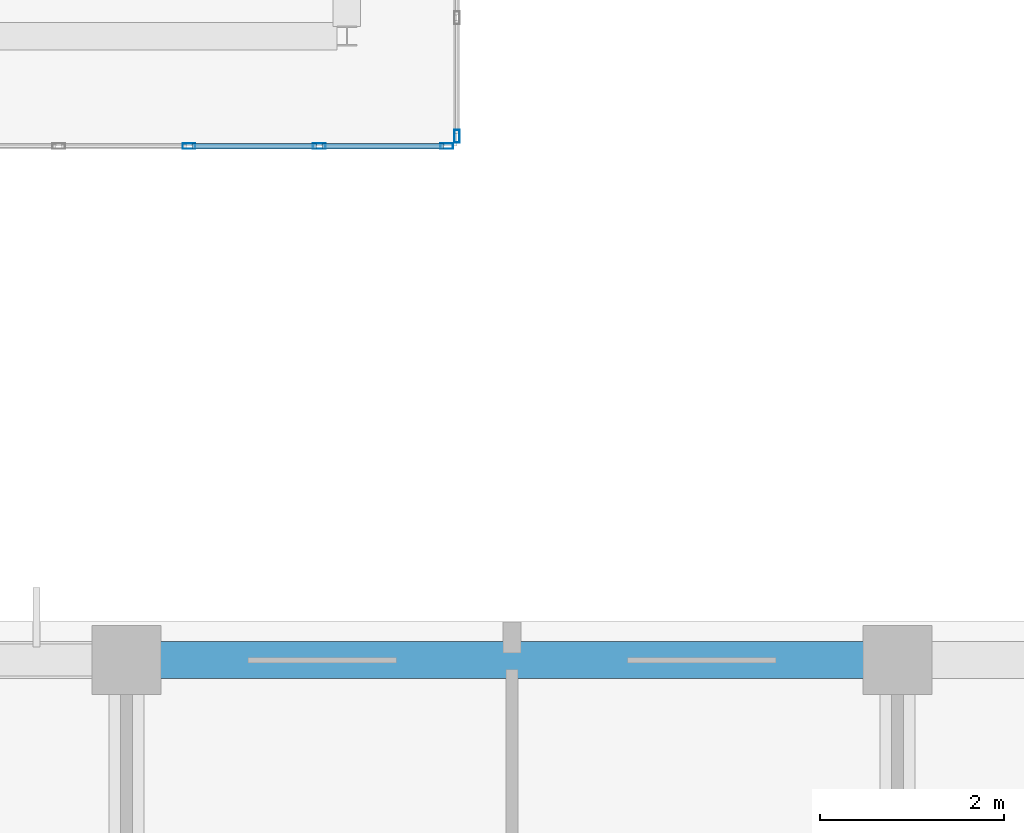
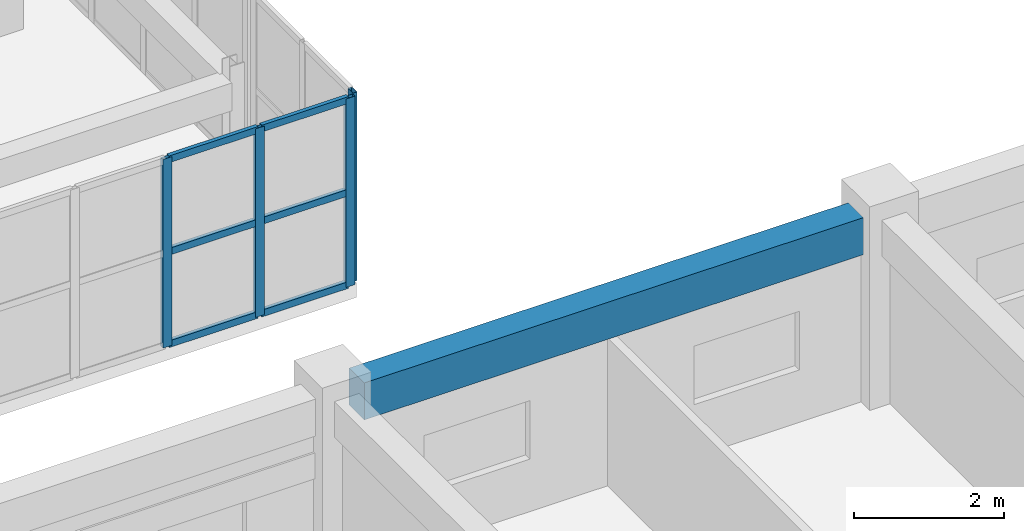
# One storey, part 58 of 200: 10 members, 1 beam, 2 elements without a shape of their own.
"""IFC4 building model written with IfcOpenShell, lengths in metres."""

from ifc_helpers import new_model, si_unit, direction, frame, origin, origin_2d, place, context, subcontext, project, spatial, rectangle, hollow_rectangle, extrude, material, layer, layer_set, material_profile, profile_set, type_object, element, aggregate, save


model = new_model("IFC4")

# Units and contexts
model_context = context("Model", 3, precision=1e-05, world=origin(), true_north=direction((0.0, 1.0)))
body_context = subcontext(model_context, "Body", "Model", "MODEL_VIEW")
ifc_project = project(units=[si_unit("LENGTHUNIT", "METRE"), si_unit("AREAUNIT", "SQUARE_METRE"), si_unit("VOLUMEUNIT", "CUBIC_METRE"), si_unit("PLANEANGLEUNIT", "RADIAN"), si_unit("MASSUNIT", "GRAM", prefix="KILO")], contexts=[model_context])

# Site, building, storey
site_placement = place(None, origin())
site = spatial("IfcSite", under=ifc_project, at=site_placement, CompositionType="ELEMENT")
building_placement = place(site_placement, origin())
building = spatial("IfcBuilding", under=site, at=building_placement, Name="Trelvath General Hospital", CompositionType="ELEMENT")
storey_placement = place(building_placement, frame((0.0, 0.0, 4.800048828125)))
storey = spatial("IfcBuildingStorey", under=building, at=storey_placement, Name="L01", CompositionType="ELEMENT", Elevation=4.800048828125)

# Beam
ifc_material_1 = material(Name="Concrete C35/45", Category="concrete")
ifc_material_profile_1 = material_profile(ifc_material_1, rectangle(XDim=0.39990234375, YDim=0.60009765625, at=origin_2d()), Name="RCB400x600")
ifc_profile_set_1 = profile_set([ifc_material_profile_1], Name="Concrete C35/45")
beam_type = type_object("IfcBeamType", Name="Beam RC400x600", PredefinedType="BEAM", material=ifc_profile_set_1)
beam_placement = place(storey_placement, frame((117.969970703125, 25.199951171875, 2.719970703125), z_axis=(1.0, 0.0, 0.0), x_axis=(0.0, 1.0, 0.0)))
element("IfcBeam", 1, at=beam_placement, inside=storey, type_object=beam_type, Name="Grid Beam BX-114D", PredefinedType="BEAM", context=body_context, shape_type="SweptSolid", body=[
    extrude(rectangle(XDim=0.39990234375, YDim=0.60009765625, at=origin_2d()), origin(), (0.0, 0.0, 1.0), 7.659912109375),
])

# Curtain wall, members
ifc_material_2 = material(Name="Anodised aluminium and low-E glass", Category="aluminium")
ifc_layer_1 = layer(ifc_material_2, 0.14990234375)
ifc_layer_set_1 = layer_set([ifc_layer_1], Name="Anodised aluminium and low-E glass")
curtain_wall_type_1 = type_object("IfcCurtainWallType", Name="CW CrystalCube 710 306 15", PredefinedType="USERDEFINED", material=ifc_layer_set_1)
curtain_wall_1_placement = place(storey_placement, origin())
curtain_wall_1 = element("IfcCurtainWall", 2, at=curtain_wall_1_placement, inside=storey, type_object=curtain_wall_type_1, Name="Crystal Cube Curtain Wall CUBE-E-T0 S5 L01", ObjectType="Unitised Glazed Curtain Wall", PredefinedType="USERDEFINED")
ifc_material_3 = material(Name="Anodised aluminium", Category="aluminium")
ifc_material_profile_2 = material_profile(ifc_material_3, hollow_rectangle(XDim=0.06005859375, YDim=0.139892578125, WallThickness=0.00390625, at=origin_2d()), Name="RHS60x140x4")
ifc_profile_set_2 = profile_set([ifc_material_profile_2], Name="Anodised aluminium")
member_type_1 = type_object("IfcMemberType", Name="CurtainMullion 60x140", PredefinedType="MULLION", material=ifc_profile_set_2)
member_1_placement = place(storey_placement, frame((121.090087890625, 30.800048828125, 0.0), z_axis=(0.0, 0.0, 1.0), x_axis=(0.0, -1.0, 0.0)))
member_1 = element("IfcMember", 3, at=member_1_placement, type_object=member_type_1, Name="CW-154 mullion 1", PredefinedType="MULLION", context=body_context, shape_type="SweptSolid", body=[
    extrude(hollow_rectangle(XDim=0.06005859375, YDim=0.139892578125, WallThickness=0.00390625, at=origin_2d()), origin(), (0.0, 0.0, 1.0), 3.06005859375),
])
member_2_placement = place(storey_placement, frame((119.699951171875, 30.800048828125, 0.0), z_axis=(0.0, 0.0, 1.0), x_axis=(0.0, -1.0, 0.0)))
member_2 = element("IfcMember", 4, at=member_2_placement, type_object=member_type_1, Name="CW-154 mullion 2", PredefinedType="MULLION", context=body_context, shape_type="SweptSolid", body=[
    extrude(hollow_rectangle(XDim=0.06005859375, YDim=0.139892578125, WallThickness=0.00390625, at=origin_2d()), origin(), (0.0, 0.0, 1.0), 3.06005859375),
])
member_3_placement = place(storey_placement, frame((118.280029296875, 30.800048828125, 0.0), z_axis=(0.0, 0.0, 1.0), x_axis=(0.0, -1.0, 0.0)))
member_3 = element("IfcMember", 5, at=member_3_placement, type_object=member_type_1, Name="CW-154 mullion 3", PredefinedType="MULLION", context=body_context, shape_type="SweptSolid", body=[
    extrude(hollow_rectangle(XDim=0.06005859375, YDim=0.139892578125, WallThickness=0.00390625, at=origin_2d()), origin(), (0.0, 0.0, 1.0), 3.06005859375),
])

# Curtain wall, member
ifc_material_4 = material(Name="Anodised aluminium and low-E glass", Category="aluminium")
ifc_layer_2 = layer(ifc_material_4, 0.14990234375)
ifc_layer_set_2 = layer_set([ifc_layer_2], Name="Anodised aluminium and low-E glass")
curtain_wall_type_2 = type_object("IfcCurtainWallType", Name="CW CrystalCube 264 306 15", PredefinedType="USERDEFINED", material=ifc_layer_set_2)
curtain_wall_2_placement = place(storey_placement, origin())
curtain_wall_2 = element("IfcCurtainWall", 6, at=curtain_wall_2_placement, inside=storey, type_object=curtain_wall_type_2, Name="Crystal Cube Curtain Wall CUBE-E-T0 E1 L01", ObjectType="Unitised Glazed Curtain Wall", PredefinedType="USERDEFINED")
member_4_placement = place(storey_placement, frame((121.199951171875, 30.909912109375, 0.0), z_axis=(0.0, 0.0, 1.0), x_axis=(1.0, 0.0, 0.0)))
member_4 = element("IfcMember", 7, at=member_4_placement, type_object=member_type_1, Name="CW-160 mullion 3", PredefinedType="MULLION", context=body_context, shape_type="SweptSolid", body=[
    extrude(hollow_rectangle(XDim=0.06005859375, YDim=0.139892578125, WallThickness=0.00390625, at=origin_2d()), origin(), (0.0, 0.0, 1.0), 3.06005859375),
])
aggregate(curtain_wall_2, [member_4])

# Member
ifc_material_5 = material(Name="Anodised aluminium", Category="aluminium")
ifc_material_profile_3 = material_profile(ifc_material_5, hollow_rectangle(XDim=0.06005859375, YDim=0.110107421875, WallThickness=0.00390625, at=origin_2d()), Name="RHS60x110x4")
ifc_profile_set_3 = profile_set([ifc_material_profile_3], Name="Anodised aluminium")
member_type_2 = type_object("IfcMemberType", Name="CurtainTransom 60x110", PredefinedType="USERDEFINED", material=ifc_profile_set_3)
member_5_placement = place(storey_placement, frame((121.06005859375, 30.800048828125, 0.030029296875), z_axis=(-1.0, 0.0, 0.0), x_axis=(0.0, -1.0, 0.0)))
member_5 = element("IfcMember", 8, at=member_5_placement, type_object=member_type_2, Name="CW-154 transom 1.1", ObjectType="TRANSOM", PredefinedType="USERDEFINED", context=body_context, shape_type="SweptSolid", body=[
    extrude(hollow_rectangle(XDim=0.06005859375, YDim=0.110107421875, WallThickness=0.00390625, at=origin_2d()), origin(), (0.0, 0.0, 1.0), 1.330078125),
])

member_6_placement = place(storey_placement, frame((121.06005859375, 30.800048828125, 1.530029296875), z_axis=(-1.0, 0.0, 0.0), x_axis=(0.0, -1.0, 0.0)))
member_6 = element("IfcMember", 9, at=member_6_placement, type_object=member_type_2, Name="CW-154 transom 1.2", ObjectType="TRANSOM", PredefinedType="USERDEFINED", context=body_context, shape_type="SweptSolid", body=[
    extrude(hollow_rectangle(XDim=0.06005859375, YDim=0.110107421875, WallThickness=0.00390625, at=origin_2d()), origin(), (0.0, 0.0, 1.0), 1.330078125),
])

member_7_placement = place(storey_placement, frame((121.06005859375, 30.800048828125, 3.030029296875), z_axis=(-1.0, 0.0, 0.0), x_axis=(0.0, -1.0, 0.0)))
member_7 = element("IfcMember", 10, at=member_7_placement, type_object=member_type_2, Name="CW-154 transom 1.3", ObjectType="TRANSOM", PredefinedType="USERDEFINED", context=body_context, shape_type="SweptSolid", body=[
    extrude(hollow_rectangle(XDim=0.06005859375, YDim=0.110107421875, WallThickness=0.00390625, at=origin_2d()), origin(), (0.0, 0.0, 1.0), 1.330078125),
])

member_8_placement = place(storey_placement, frame((119.669921875, 30.800048828125, 0.030029296875), z_axis=(-1.0, 0.0, 0.0), x_axis=(0.0, -1.0, 0.0)))
member_8 = element("IfcMember", 11, at=member_8_placement, type_object=member_type_2, Name="CW-154 transom 2.1", ObjectType="TRANSOM", PredefinedType="USERDEFINED", context=body_context, shape_type="SweptSolid", body=[
    extrude(hollow_rectangle(XDim=0.06005859375, YDim=0.110107421875, WallThickness=0.00390625, at=origin_2d()), origin(), (0.0, 0.0, 1.0), 1.35986328125),
])

member_9_placement = place(storey_placement, frame((119.669921875, 30.800048828125, 1.530029296875), z_axis=(-1.0, 0.0, 0.0), x_axis=(0.0, -1.0, 0.0)))
member_9 = element("IfcMember", 12, at=member_9_placement, type_object=member_type_2, Name="CW-154 transom 2.2", ObjectType="TRANSOM", PredefinedType="USERDEFINED", context=body_context, shape_type="SweptSolid", body=[
    extrude(hollow_rectangle(XDim=0.06005859375, YDim=0.110107421875, WallThickness=0.00390625, at=origin_2d()), origin(), (0.0, 0.0, 1.0), 1.35986328125),
])

member_10_placement = place(storey_placement, frame((119.669921875, 30.800048828125, 3.030029296875), z_axis=(-1.0, 0.0, 0.0), x_axis=(0.0, -1.0, 0.0)))
member_10 = element("IfcMember", 13, at=member_10_placement, type_object=member_type_2, Name="CW-154 transom 2.3", ObjectType="TRANSOM", PredefinedType="USERDEFINED", context=body_context, shape_type="SweptSolid", body=[
    extrude(hollow_rectangle(XDim=0.06005859375, YDim=0.110107421875, WallThickness=0.00390625, at=origin_2d()), origin(), (0.0, 0.0, 1.0), 1.35986328125),
])

aggregate(curtain_wall_1, [member_1, member_2, member_3, member_5, member_6, member_7, member_8, member_9, member_10])

save(model, "model.ifc")
